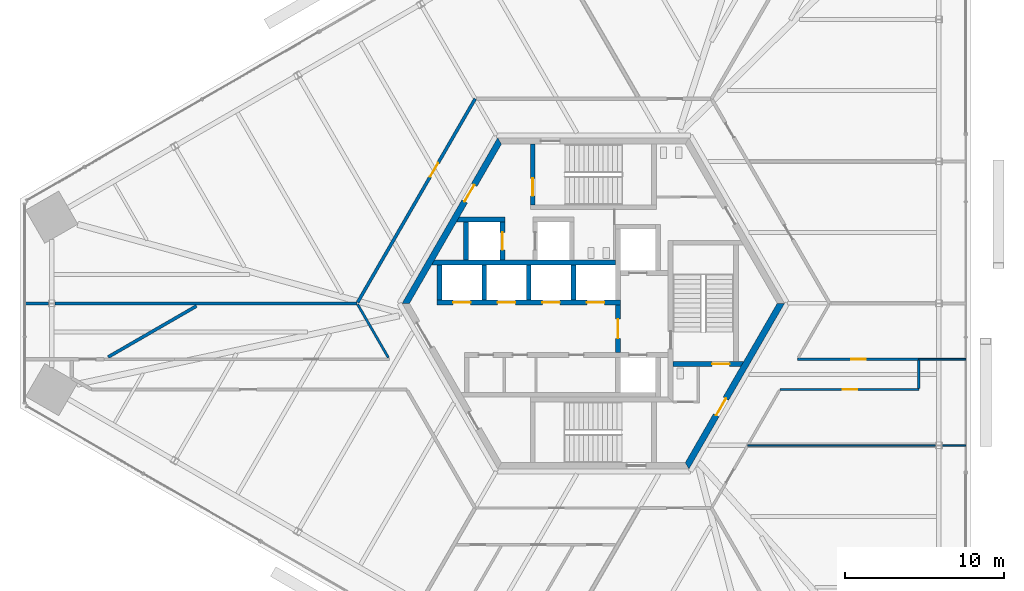
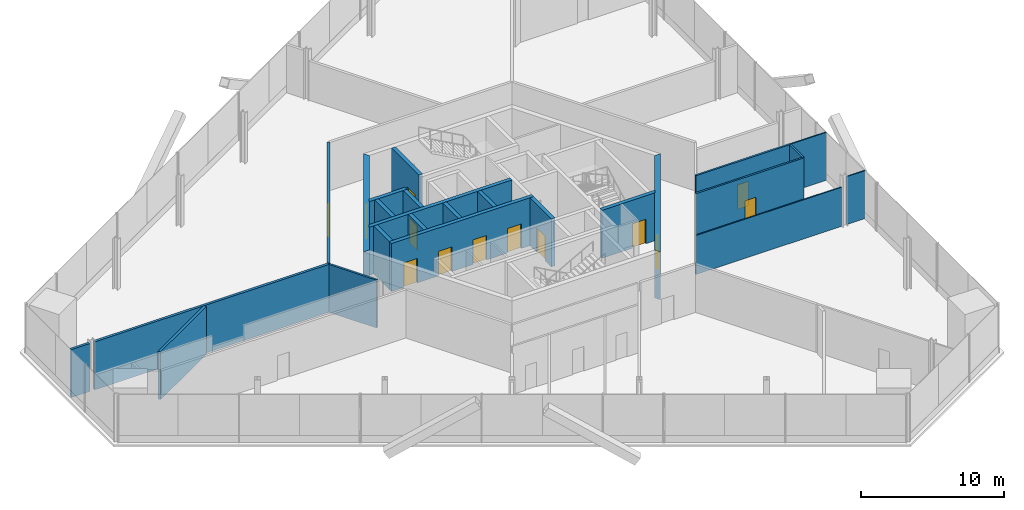
# One storey, part 11 of 15: 25 walls, 13 doors, 13 openings.
"""IFC4 building model written with IfcOpenShell, lengths in metres."""

from ifc_helpers import new_model, si_unit, direction, frame, frame_2d, origin, place, context, subcontext, project, spatial, polyline, rectangle, outline, extrude, source, transform, mapped, material, layer, layer_set, type_object, element, fill, save


model = new_model("IFC4")

# Units and contexts
model_context = context("Model", 3, precision=1e-05, world=origin(), true_north=direction((0.0, 1.0)))
body_context = subcontext(model_context, "Body", "Model", "MODEL_VIEW")
ifc_project = project(units=[si_unit("LENGTHUNIT", "METRE"), si_unit("AREAUNIT", "SQUARE_METRE"), si_unit("VOLUMEUNIT", "CUBIC_METRE"), si_unit("PLANEANGLEUNIT", "RADIAN"), si_unit("MASSUNIT", "GRAM", prefix="KILO")], contexts=[model_context])

# Site, building, storey
site_placement = place(None, origin())
site = spatial("IfcSite", under=ifc_project, at=site_placement, CompositionType="ELEMENT")
building_placement = place(site_placement, origin())
building = spatial("IfcBuilding", under=site, at=building_placement, Name="Triune Harvest Tower", CompositionType="ELEMENT")
storey_placement = place(building_placement, frame((0.0, 0.0, 28.89990234375)))
storey = spatial("IfcBuildingStorey", under=building, at=storey_placement, Name="L06", CompositionType="ELEMENT", Elevation=28.89990234375)

# Wall
ifc_material_1 = material(Name="Gypsum board on steel studs", Category="steel")
ifc_layer_1 = layer(ifc_material_1, 0.199951171875)
ifc_layer_set_1 = layer_set([ifc_layer_1], Name="Gypsum board on steel studs")
wall_type_1 = type_object("IfcWallType", Name="Fire Wall 200 mm", PredefinedType="PARTITIONING", material=ifc_layer_set_1)
wall_1_placement = place(storey_placement, frame((-30.44677734375, -3.36474609375, 0.0), z_axis=(0.0, 0.0, 1.0), x_axis=(0.866042017984, 0.499971222258, 0.0)))
element("IfcWall", 1, at=wall_1_placement, inside=storey, type_object=wall_type_1, Name="Partition L06 029", PredefinedType="PARTITIONING", context=body_context, shape_type="SweptSolid", body=[
    extrude(rectangle(XDim=6.39990234375, YDim=0.199951171875, at=frame_2d((3.199951171875, 0.0))), origin(), (0.0, 0.0, 1.0), 4.10009765625),
])

# Wall, opening, door
ifc_material_2 = material(Name="Concrete 70 MPa", Category="concrete")
ifc_layer_2 = layer(ifc_material_2, 0.39990234375)
ifc_layer_set_2 = layer_set([ifc_layer_2], Name="Concrete 70 MPa")
wall_type_2 = type_object("IfcWallType", Name="Core wall 400", PredefinedType="SHEAR", material=ifc_layer_set_2)
shared_shape_1 = source(origin(), body_context, "Body", "SweptSolid", [
    extrude(outline(polyline([(-0.115478515625, -0.199951171875), (11.884521484375, -0.199951171875), (11.653564453125, 0.199951171875), (0.115478515625, 0.199951171875), (-0.115478515625, -0.199951171875)])), origin(), (0.0, 0.0, 1.0), 4.10009765625),
])
wall_2_placement = place(storey_placement, frame((-5.884521484375, 10.1923828125, 0.0), z_axis=(0.0, 0.0, 1.0), x_axis=(-0.499996592174, -0.866027371285, 0.0)))
wall_2 = element("IfcWall", 2, at=wall_2_placement, inside=storey, type_object=wall_type_2, Name="Hexagon 2 wall", PredefinedType="SHEAR", context=body_context, shape_type="MappedRepresentation", body=[
    mapped(shared_shape_1, transform((0.0, 0.0, 0.0), scale=1.0)),
])
opening_1_placement = place(wall_2_placement, frame((3.1845703125, 0.0, 0.0)))
opening_1 = element("IfcOpeningElement", 3, at=opening_1_placement, cuts=wall_2, Name="Opening CD-SVP", PredefinedType="OPENING", context=body_context, shape_type="SweptSolid", body=[
    extrude(rectangle(XDim=1.199951171875, YDim=2.10009765625, at=frame_2d((0.60009765625, 1.050048828125))), frame((0.0, 0.2099609375, 0.0), z_axis=(0.0, -1.0, 0.0), x_axis=(1.0, 0.0, 0.0)), (0.0, 0.0, 1.0), 0.419921875),
])
ifc_material_3 = material(Name="Steel S235", Category="steel")
door_type_1 = type_object("IfcDoorType", Name="Service door 1200 FD120", OperationType="SINGLE_SWING_LEFT", PredefinedType="DOOR", material=ifc_material_3)
door_1_placement = place(opening_1_placement, frame((1.199951171875, 0.0, 0.0), z_axis=(0.0, 0.0, 1.0), x_axis=(-1.0, 0.0, 0.0)))
door_1 = element("IfcDoor", 4, at=door_1_placement, inside=storey, type_object=door_type_1, Name="Door CD-SVP", OperationType="SINGLE_SWING_RIGHT", OverallHeight=2.10009765625, OverallWidth=1.199951171875, PredefinedType="DOOR", context=body_context, shape_type="SweptSolid", body=[
    extrude(rectangle(XDim=1.199951171875, YDim=2.10009765625, at=frame_2d((0.60009765625, 1.050048828125))), frame((0.0, 0.02490234375, 0.0), z_axis=(0.0, -1.0, 0.0), x_axis=(1.0, 0.0, 0.0)), (0.0, 0.0, 1.0), 0.050048828125),
])
fill(opening_1, door_1)

wall_3_placement = place(storey_placement, frame((5.884521484375, -10.1923828125, 0.0), z_axis=(0.0, 0.0, 1.0), x_axis=(0.499996592174, 0.866027371285, 0.0)))
wall_3 = element("IfcWall", 5, at=wall_3_placement, inside=storey, type_object=wall_type_2, Name="Hexagon 5 wall", PredefinedType="SHEAR", context=body_context, shape_type="MappedRepresentation", body=[
    mapped(shared_shape_1, transform((0.0, 0.0, 0.0), scale=1.0)),
])
opening_2_placement = place(wall_3_placement, frame((3.66455078125, 0.0, 0.0)))
opening_2 = element("IfcOpeningElement", 6, at=opening_2_placement, cuts=wall_3, Name="Opening CD-DP", PredefinedType="OPENING", context=body_context, shape_type="SweptSolid", body=[
    extrude(rectangle(XDim=1.199951171875, YDim=2.10009765625, at=frame_2d((0.60009765625, 1.050048828125))), frame((0.0, 0.2099609375, 0.0), z_axis=(0.0, -1.0, 0.0), x_axis=(1.0, 0.0, 0.0)), (0.0, 0.0, 1.0), 0.419921875),
])
ifc_material_4 = material(Name="Steel S235", Category="steel")
door_type_2 = type_object("IfcDoorType", Name="Stair door 1200 FD120", OperationType="SINGLE_SWING_LEFT", PredefinedType="DOOR", material=ifc_material_4)
door_2_placement = place(opening_2_placement, frame((1.199951171875, 0.0, 0.0), z_axis=(0.0, 0.0, 1.0), x_axis=(-1.0, 0.0, 0.0)))
door_2 = element("IfcDoor", 7, at=door_2_placement, inside=storey, type_object=door_type_2, Name="Door CD-DP", OperationType="SINGLE_SWING_RIGHT", OverallHeight=2.10009765625, OverallWidth=1.199951171875, PredefinedType="DOOR", context=body_context, shape_type="SweptSolid", body=[
    extrude(rectangle(XDim=1.199951171875, YDim=2.10009765625, at=frame_2d((0.60009765625, 1.050048828125))), frame((0.0, 0.02490234375, 0.0), z_axis=(0.0, -1.0, 0.0), x_axis=(1.0, 0.0, 0.0)), (0.0, 0.0, 1.0), 0.050048828125),
])
fill(opening_2, door_2)

# Wall, openings, doors
ifc_material_5 = material(Name="Concrete 70 MPa", Category="concrete")
ifc_layer_3 = layer(ifc_material_5, 0.300048828125)
ifc_layer_set_3 = layer_set([ifc_layer_3], Name="Concrete 70 MPa")
wall_type_3 = type_object("IfcWallType", Name="Core wall 300", PredefinedType="SHEAR", material=ifc_layer_set_3)
shared_shape_2 = source(origin(), body_context, "Body", "SweptSolid", [
    extrude(rectangle(XDim=11.5, YDim=0.300048828125, at=frame_2d((5.75, 0.0))), origin(), (0.0, 0.0, 1.0), 4.10009765625),
])
wall_4_placement = place(storey_placement, frame((-9.800048828125, 0.06005859375, 0.0), z_axis=(0.0, 0.0, 1.0), x_axis=(1.0, 0.0, 0.0)))
wall_4 = element("IfcWall", 8, at=wall_4_placement, inside=storey, type_object=wall_type_3, Name="North front wall", PredefinedType="SHEAR", context=body_context, shape_type="MappedRepresentation", body=[
    mapped(shared_shape_2, transform((0.0, 0.0, 0.0), scale=1.0)),
])
opening_3_placement = place(wall_4_placement, frame((1.0, 0.0, 0.0)))
opening_3 = element("IfcOpeningElement", 9, at=opening_3_placement, cuts=wall_4, Name="Opening LD-LR1-06", PredefinedType="OPENING", context=body_context, shape_type="SweptSolid", body=[
    extrude(rectangle(XDim=1.10009765625, YDim=2.10009765625, at=frame_2d((0.550048828125, 1.050048828125))), frame((0.0, 0.16015625, 0.0), z_axis=(0.0, -1.0, 0.0), x_axis=(1.0, 0.0, 0.0)), (0.0, 0.0, 1.0), 0.320068359375),
])
opening_4_placement = place(wall_4_placement, frame((3.800048828125, 0.0, 0.0)))
opening_4 = element("IfcOpeningElement", 10, at=opening_4_placement, cuts=wall_4, Name="Opening LD-LR2-06", PredefinedType="OPENING", context=body_context, shape_type="SweptSolid", body=[
    extrude(rectangle(XDim=1.10009765625, YDim=2.10009765625, at=frame_2d((0.550048828125, 1.050048828125))), frame((0.0, 0.16015625, 0.0), z_axis=(0.0, -1.0, 0.0), x_axis=(1.0, 0.0, 0.0)), (0.0, 0.0, 1.0), 0.320068359375),
])
opening_5_placement = place(wall_4_placement, frame((6.60009765625, 0.0, 0.0)))
opening_5 = element("IfcOpeningElement", 11, at=opening_5_placement, cuts=wall_4, Name="Opening LD-LR3-06", PredefinedType="OPENING", context=body_context, shape_type="SweptSolid", body=[
    extrude(rectangle(XDim=1.10009765625, YDim=2.10009765625, at=frame_2d((0.550048828125, 1.050048828125))), frame((0.0, 0.16015625, 0.0), z_axis=(0.0, -1.0, 0.0), x_axis=(1.0, 0.0, 0.0)), (0.0, 0.0, 1.0), 0.320068359375),
])
opening_6_placement = place(wall_4_placement, frame((9.39990234375, 0.0, 0.0)))
opening_6 = element("IfcOpeningElement", 12, at=opening_6_placement, cuts=wall_4, Name="Opening LD-LR4-06", PredefinedType="OPENING", context=body_context, shape_type="SweptSolid", body=[
    extrude(rectangle(XDim=1.10009765625, YDim=2.10009765625, at=frame_2d((0.550048828125, 1.050048828125))), frame((0.0, 0.16015625, 0.0), z_axis=(0.0, -1.0, 0.0), x_axis=(1.0, 0.0, 0.0)), (0.0, 0.0, 1.0), 0.320068359375),
])
ifc_material_6 = material(Name="Stainless steel AISI 304", Category="steel")
door_type_3 = type_object("IfcDoorType", Name="Landing door 1100 x 2100", OperationType="DOUBLE_DOOR_SLIDING", PredefinedType="DOOR", material=ifc_material_6)
door_3_placement = place(opening_3_placement, origin())
door_3 = element("IfcDoor", 13, at=door_3_placement, inside=storey, type_object=door_type_3, Name="Door LD-LR1-06", OperationType="DOUBLE_DOOR_SLIDING", OverallHeight=2.10009765625, OverallWidth=1.10009765625, PredefinedType="DOOR", context=body_context, shape_type="SweptSolid", body=[
    extrude(rectangle(XDim=1.10009765625, YDim=2.10009765625, at=frame_2d((0.550048828125, 1.050048828125))), frame((0.0, 0.02490234375, 0.0), z_axis=(0.0, -1.0, 0.0), x_axis=(1.0, 0.0, 0.0)), (0.0, 0.0, 1.0), 0.050048828125),
])
fill(opening_3, door_3)
door_4_placement = place(opening_4_placement, origin())
door_4 = element("IfcDoor", 14, at=door_4_placement, inside=storey, type_object=door_type_3, Name="Door LD-LR2-06", OperationType="DOUBLE_DOOR_SLIDING", OverallHeight=2.10009765625, OverallWidth=1.10009765625, PredefinedType="DOOR", context=body_context, shape_type="SweptSolid", body=[
    extrude(rectangle(XDim=1.10009765625, YDim=2.10009765625, at=frame_2d((0.550048828125, 1.050048828125))), frame((0.0, 0.02490234375, 0.0), z_axis=(0.0, -1.0, 0.0), x_axis=(1.0, 0.0, 0.0)), (0.0, 0.0, 1.0), 0.050048828125),
])
fill(opening_4, door_4)
door_5_placement = place(opening_5_placement, origin())
door_5 = element("IfcDoor", 15, at=door_5_placement, inside=storey, type_object=door_type_3, Name="Door LD-LR3-06", OperationType="DOUBLE_DOOR_SLIDING", OverallHeight=2.10009765625, OverallWidth=1.10009765625, PredefinedType="DOOR", context=body_context, shape_type="SweptSolid", body=[
    extrude(rectangle(XDim=1.10009765625, YDim=2.10009765625, at=frame_2d((0.550048828125, 1.050048828125))), frame((0.0, 0.02490234375, 0.0), z_axis=(0.0, -1.0, 0.0), x_axis=(1.0, 0.0, 0.0)), (0.0, 0.0, 1.0), 0.050048828125),
])
fill(opening_5, door_5)
door_6_placement = place(opening_6_placement, origin())
door_6 = element("IfcDoor", 16, at=door_6_placement, inside=storey, type_object=door_type_3, Name="Door LD-LR4-06", OperationType="DOUBLE_DOOR_SLIDING", OverallHeight=2.10009765625, OverallWidth=1.10009765625, PredefinedType="DOOR", context=body_context, shape_type="SweptSolid", body=[
    extrude(rectangle(XDim=1.10009765625, YDim=2.10009765625, at=frame_2d((0.550048828125, 1.050048828125))), frame((0.0, 0.02490234375, 0.0), z_axis=(0.0, -1.0, 0.0), x_axis=(1.0, 0.0, 0.0)), (0.0, 0.0, 1.0), 0.050048828125),
])
fill(opening_6, door_6)

# Wall
shared_shape_3 = source(origin(), body_context, "Body", "SweptSolid", [
    extrude(outline(polyline([(11.199951171875, -0.14990234375), (-0.34912109375, -0.14990234375), (-0.17578125, 0.14990234375), (11.199951171875, 0.14990234375), (11.199951171875, -0.14990234375)])), origin(), (0.0, 0.0, 1.0), 4.10009765625),
])
wall_5_placement = place(storey_placement, frame((-9.800048828125, 2.56005859375, 0.0), z_axis=(0.0, 0.0, 1.0), x_axis=(1.0, 0.0, 0.0)))
element("IfcWall", 17, at=wall_5_placement, inside=storey, type_object=wall_type_3, Name="North back wall", PredefinedType="SHEAR", context=body_context, shape_type="MappedRepresentation", body=[
    mapped(shared_shape_3, transform((0.0, 0.0, 0.0), scale=1.0)),
])

# Wall, opening, door
shared_shape_4 = source(origin(), body_context, "Body", "SweptSolid", [
    extrude(rectangle(XDim=3.0, YDim=0.300048828125, at=frame_2d((1.5, 0.0))), origin(), (0.0, 0.0, 1.0), 4.10009765625),
])
wall_6_placement = place(storey_placement, frame((1.550048828125, -3.090087890625, 0.0), z_axis=(0.0, 0.0, 1.0), x_axis=(0.0, 1.0, 0.0)))
wall_6 = element("IfcWall", 18, at=wall_6_placement, inside=storey, type_object=wall_type_3, Name="Ff lobby west wall", PredefinedType="SHEAR", context=body_context, shape_type="MappedRepresentation", body=[
    mapped(shared_shape_4, transform((0.0, 0.0, 0.0), scale=1.0)),
])
opening_7_placement = place(wall_6_placement, frame((0.89990234375, 0.0, 0.0)))
opening_7 = element("IfcOpeningElement", 19, at=opening_7_placement, cuts=wall_6, Name="Opening CD-FL", PredefinedType="OPENING", context=body_context, shape_type="SweptSolid", body=[
    extrude(rectangle(XDim=1.199951171875, YDim=2.10009765625, at=frame_2d((0.60009765625, 1.050048828125))), frame((0.0, 0.16015625, 0.0), z_axis=(0.0, -1.0, 0.0), x_axis=(1.0, 0.0, 0.0)), (0.0, 0.0, 1.0), 0.320068359375),
])
ifc_material_7 = material(Name="Steel S235", Category="steel")
door_type_4 = type_object("IfcDoorType", Name="Firefighters' lobby door 1200 FD120", OperationType="SINGLE_SWING_LEFT", PredefinedType="DOOR", material=ifc_material_7)
door_7_placement = place(opening_7_placement, frame((1.199951171875, 0.0, 0.0), z_axis=(0.0, 0.0, 1.0), x_axis=(-1.0, 0.0, 0.0)))
door_7 = element("IfcDoor", 20, at=door_7_placement, inside=storey, type_object=door_type_4, Name="Door CD-FL", OperationType="SINGLE_SWING_RIGHT", OverallHeight=2.10009765625, OverallWidth=1.199951171875, PredefinedType="DOOR", context=body_context, shape_type="SweptSolid", body=[
    extrude(rectangle(XDim=1.199951171875, YDim=2.10009765625, at=frame_2d((0.60009765625, 1.050048828125))), frame((0.0, 0.02490234375, 0.0), z_axis=(0.0, -1.0, 0.0), x_axis=(1.0, 0.0, 0.0)), (0.0, 0.0, 1.0), 0.050048828125),
])
fill(opening_7, door_7)

# Walls
shared_shape_5 = source(origin(), body_context, "Body", "SweptSolid", [
    extrude(rectangle(XDim=2.199951171875, YDim=0.300048828125, at=frame_2d((1.10009765625, 0.0))), origin(), (0.0, 0.0, 1.0), 4.10009765625),
])
for number, where, z_axis, x_axis, name in (
    (21, (-9.64990234375, 0.2099609375, 0.0), (0.0, 0.0, 1.0), (0.0, 1.0, 0.0), "North end west wall"),
    (22, (-6.85009765625, 0.2099609375, 0.0), (0.0, 0.0, 1.0), (0.0, 1.0, 0.0), "North cross 1 wall"),
    (23, (-4.050048828125, 0.2099609375, 0.0), (0.0, 0.0, 1.0), (0.0, 1.0, 0.0), "North cross 2 wall"),
    (24, (-1.25, 0.2099609375, 0.0), (0.0, 0.0, 1.0), (0.0, 1.0, 0.0), "North cross 3 wall"),
):
    element("IfcWall", number, at=place(storey_placement, frame(where, z_axis=z_axis, x_axis=x_axis)), inside=storey, type_object=wall_type_3, Name=name, PredefinedType="SHEAR", context=body_context, shape_type="MappedRepresentation", body=[
        mapped(shared_shape_5, transform((0.0, 0.0, 0.0), scale=1.0)),
    ])

# Wall, opening, door
shared_shape_6 = source(origin(), body_context, "Body", "SweptSolid", [
    extrude(outline(polyline([(0.0, -0.14990234375), (0.0, 0.14990234375), (4.43310546875, 0.14990234375), (4.260009765625, -0.14990234375), (0.0, -0.14990234375)])), origin(), (0.0, 0.0, 1.0), 4.10009765625),
])
wall_7_placement = place(storey_placement, frame((5.0, -3.800048828125, 0.0), z_axis=(0.0, 0.0, 1.0), x_axis=(1.0, 0.0, 0.0)))
wall_7 = element("IfcWall", 25, at=wall_7_placement, inside=storey, type_object=wall_type_3, Name="Stair e south wall", PredefinedType="SHEAR", context=body_context, shape_type="MappedRepresentation", body=[
    mapped(shared_shape_6, transform((0.0, 0.0, 0.0), scale=1.0)),
])
opening_8_placement = place(wall_7_placement, frame((2.449951171875, 0.0, 0.0)))
opening_8 = element("IfcOpeningElement", 26, at=opening_8_placement, cuts=wall_7, Name="Opening CD-S3D", PredefinedType="OPENING", context=body_context, shape_type="SweptSolid", body=[
    extrude(rectangle(XDim=1.10009765625, YDim=2.10009765625, at=frame_2d((0.550048828125, 1.050048828125))), frame((0.0, 0.16015625, 0.0), z_axis=(0.0, -1.0, 0.0), x_axis=(1.0, 0.0, 0.0)), (0.0, 0.0, 1.0), 0.320068359375),
])
ifc_material_8 = material(Name="Steel S235", Category="steel")
door_type_5 = type_object("IfcDoorType", Name="Stair door 1100 FD120", OperationType="SINGLE_SWING_LEFT", PredefinedType="DOOR", material=ifc_material_8)
door_8_placement = place(opening_8_placement, frame((1.10009765625, 0.0, 0.0), z_axis=(0.0, 0.0, 1.0), x_axis=(-1.0, 0.0, 0.0)))
door_8 = element("IfcDoor", 27, at=door_8_placement, inside=storey, type_object=door_type_5, Name="Door CD-S3D", OperationType="SINGLE_SWING_RIGHT", OverallHeight=2.10009765625, OverallWidth=1.10009765625, PredefinedType="DOOR", context=body_context, shape_type="SweptSolid", body=[
    extrude(rectangle(XDim=1.10009765625, YDim=2.10009765625, at=frame_2d((0.550048828125, 1.050048828125))), frame((0.0, 0.02490234375, 0.0), z_axis=(0.0, -1.0, 0.0), x_axis=(1.0, 0.0, 0.0)), (0.0, 0.0, 1.0), 0.050048828125),
])
fill(opening_8, door_8)

shared_shape_7 = source(origin(), body_context, "Body", "SweptSolid", [
    extrude(outline(polyline([(0.0, -0.14990234375), (0.0, 0.14990234375), (3.80419921875, 0.14990234375), (3.80419921875, -0.14990234375), (0.0, -0.14990234375)])), origin(), (0.0, 0.0, 1.0), 4.10009765625),
])
wall_8_placement = place(storey_placement, frame((-3.800048828125, 6.18994140625, 0.0), z_axis=(0.0, 0.0, 1.0), x_axis=(0.0, 1.0, 0.0)))
wall_8 = element("IfcWall", 28, at=wall_8_placement, inside=storey, type_object=wall_type_3, Name="Stair n west wall", PredefinedType="SHEAR", context=body_context, shape_type="MappedRepresentation", body=[
    mapped(shared_shape_7, transform((0.0, 0.0, 0.0), scale=1.0)),
])
opening_9_placement = place(wall_8_placement, frame((0.56005859375, 0.0, 0.0)))
opening_9 = element("IfcOpeningElement", 29, at=opening_9_placement, cuts=wall_8, Name="Opening CD-S1L", PredefinedType="OPENING", context=body_context, shape_type="SweptSolid", body=[
    extrude(rectangle(XDim=1.10009765625, YDim=2.10009765625, at=frame_2d((0.550048828125, 1.050048828125))), frame((0.0, 0.16015625, 0.0), z_axis=(0.0, -1.0, 0.0), x_axis=(1.0, 0.0, 0.0)), (0.0, 0.0, 1.0), 0.320068359375),
])
door_9_placement = place(opening_9_placement, frame((1.10009765625, 0.0, 0.0), z_axis=(0.0, 0.0, 1.0), x_axis=(-1.0, 0.0, 0.0)))
door_9 = element("IfcDoor", 30, at=door_9_placement, inside=storey, type_object=door_type_5, Name="Door CD-S1L", OperationType="SINGLE_SWING_RIGHT", OverallHeight=2.10009765625, OverallWidth=1.10009765625, PredefinedType="DOOR", context=body_context, shape_type="SweptSolid", body=[
    extrude(rectangle(XDim=1.10009765625, YDim=2.10009765625, at=frame_2d((0.550048828125, 1.050048828125))), frame((0.0, 0.02490234375, 0.0), z_axis=(0.0, -1.0, 0.0), x_axis=(1.0, 0.0, 0.0)), (0.0, 0.0, 1.0), 0.050048828125),
])
fill(opening_9, door_9)

# Walls
shared_shape_8 = source(origin(), body_context, "Body", "SweptSolid", [
    extrude(outline(polyline([(2.60009765625, -0.14990234375), (-0.440185546875, -0.14990234375), (-0.26708984375, 0.14990234375), (2.60009765625, 0.14990234375), (2.60009765625, -0.14990234375)])), origin(), (0.0, 0.0, 1.0), 4.10009765625),
])
wall_9_placement = place(storey_placement, frame((-8.14990234375, 5.260009765625, 0.0), z_axis=(0.0, 0.0, 1.0), x_axis=(1.0, 0.0, 0.0)))
element("IfcWall", 31, at=wall_9_placement, inside=storey, type_object=wall_type_3, Name="Sv1 north wall", PredefinedType="SHEAR", context=body_context, shape_type="MappedRepresentation", body=[
    mapped(shared_shape_8, transform((0.0, 0.0, 0.0), scale=1.0)),
])
shared_shape_9 = source(origin(), body_context, "Body", "SweptSolid", [
    extrude(rectangle(XDim=2.400146484375, YDim=0.300048828125, at=frame_2d((1.2001953125, 0.0))), origin(), (0.0, 0.0, 1.0), 4.10009765625),
])
wall_10_placement = place(storey_placement, frame((-8.0, 2.7099609375, 0.0), z_axis=(0.0, 0.0, 1.0), x_axis=(0.0, 1.0, 0.0)))
element("IfcWall", 32, at=wall_10_placement, inside=storey, type_object=wall_type_3, Name="Sv1 west wall", PredefinedType="SHEAR", context=body_context, shape_type="MappedRepresentation", body=[
    mapped(shared_shape_9, transform((0.0, 0.0, 0.0), scale=1.0)),
])

# Wall, opening, door
wall_11_placement = place(storey_placement, frame((-5.699951171875, 2.7099609375, 0.0), z_axis=(0.0, 0.0, 1.0), x_axis=(0.0, 1.0, 0.0)))
wall_11 = element("IfcWall", 33, at=wall_11_placement, inside=storey, type_object=wall_type_3, Name="Sv1 east wall", PredefinedType="SHEAR", context=body_context, shape_type="MappedRepresentation", body=[
    mapped(shared_shape_9, transform((0.0, 0.0, 0.0), scale=1.0)),
])
opening_10_placement = place(wall_11_placement, frame((0.64990234375, 0.0, 0.0)))
opening_10 = element("IfcOpeningElement", 34, at=opening_10_placement, cuts=wall_11, Name="Opening LD-SV1-06", PredefinedType="OPENING", context=body_context, shape_type="SweptSolid", body=[
    extrude(rectangle(XDim=1.10009765625, YDim=2.10009765625, at=frame_2d((0.550048828125, 1.050048828125))), frame((0.0, 0.16015625, 0.0), z_axis=(0.0, -1.0, 0.0), x_axis=(1.0, 0.0, 0.0)), (0.0, 0.0, 1.0), 0.320068359375),
])
door_10_placement = place(opening_10_placement, origin())
door_10 = element("IfcDoor", 35, at=door_10_placement, inside=storey, type_object=door_type_3, Name="Door LD-SV1-06", OperationType="DOUBLE_DOOR_SLIDING", OverallHeight=2.10009765625, OverallWidth=1.10009765625, PredefinedType="DOOR", context=body_context, shape_type="SweptSolid", body=[
    extrude(rectangle(XDim=1.10009765625, YDim=2.10009765625, at=frame_2d((0.550048828125, 1.050048828125))), frame((0.0, 0.02490234375, 0.0), z_axis=(0.0, -1.0, 0.0), x_axis=(1.0, 0.0, 0.0)), (0.0, 0.0, 1.0), 0.050048828125),
])
fill(opening_10, door_10)

# Walls
shared_shape_10 = source(origin(), body_context, "Body", "SweptSolid", [
    extrude(rectangle(XDim=1.49853515625, YDim=0.199951171875, at=frame_2d((0.749267578125, 0.0))), origin(), (0.0, 0.0, 1.0), 4.10009765625),
])
wall_12_placement = place(storey_placement, frame((-35.680419921875, 0.0, 0.0), z_axis=(0.0, 0.0, 1.0), x_axis=(1.0, 0.0, 0.0)))
element("IfcWall", 36, at=wall_12_placement, inside=storey, type_object=wall_type_1, Name="Partition L06 021", PredefinedType="PARTITIONING", context=body_context, shape_type="MappedRepresentation", body=[
    mapped(shared_shape_10, transform((0.0, 0.0, 0.0), scale=1.0)),
])
ifc_material_9 = material(Name="Gypsum board on steel studs", Category="steel")
ifc_layer_4 = layer(ifc_material_9, 0.10009765625)
ifc_layer_set_4 = layer_set([ifc_layer_4], Name="Gypsum board on steel studs")
wall_type_4 = type_object("IfcWallType", Name="Partition 100 mm", PredefinedType="PARTITIONING", material=ifc_layer_set_4)
shared_shape_11 = source(origin(), body_context, "Body", "SweptSolid", [
    extrude(rectangle(XDim=1.49853515625, YDim=0.10009765625, at=frame_2d((0.749267578125, 0.0))), origin(), (0.0, 0.0, 1.0), 4.10009765625),
])
wall_13_placement = place(storey_placement, frame((21.872802734375, -8.909912109375, 0.0), z_axis=(0.0, 0.0, 1.0), x_axis=(1.0, 0.0, 0.0)))
element("IfcWall", 37, at=wall_13_placement, inside=storey, type_object=wall_type_4, Name="Partition L06 014", PredefinedType="PARTITIONING", context=body_context, shape_type="MappedRepresentation", body=[
    mapped(shared_shape_11, transform((0.0, 0.0, 0.0), scale=1.0)),
])
shared_shape_12 = source(origin(), body_context, "Body", "SweptSolid", [
    extrude(rectangle(XDim=2.94189453125, YDim=0.10009765625, at=frame_2d((1.470947265625, 0.0))), origin(), (0.0, 0.0, 1.0), 4.10009765625),
])
wall_14_placement = place(storey_placement, frame((20.429443359375, -3.5048828125, 0.0), z_axis=(0.0, 0.0, 1.0), x_axis=(1.0, 0.0, 0.0)))
element("IfcWall", 38, at=wall_14_placement, inside=storey, type_object=wall_type_4, Name="Partition L06 020", PredefinedType="PARTITIONING", context=body_context, shape_type="MappedRepresentation", body=[
    mapped(shared_shape_12, transform((0.0, 0.0, 0.0), scale=1.0)),
])
ifc_material_10 = material(Name="Gypsum board on steel studs", Category="steel")
ifc_layer_5 = layer(ifc_material_10, 0.14990234375)
ifc_layer_set_5 = layer_set([ifc_layer_5], Name="Gypsum board on steel studs")
wall_type_5 = type_object("IfcWallType", Name="Fire Partition 150 mm", PredefinedType="PARTITIONING", material=ifc_layer_set_5)
shared_shape_13 = source(origin(), body_context, "Body", "SweptSolid", [
    extrude(rectangle(XDim=3.8671875, YDim=0.14990234375, at=frame_2d((1.93359375, 0.0))), origin(), (0.0, 0.0, 1.0), 4.10009765625),
])
wall_15_placement = place(storey_placement, frame((-14.7939453125, -0.060546875, 0.0), z_axis=(0.0, 0.0, 1.0), x_axis=(0.499995691662, -0.86602789119, 0.0)))
element("IfcWall", 39, at=wall_15_placement, inside=storey, type_object=wall_type_5, Name="Partition L06 001", PredefinedType="PARTITIONING", context=body_context, shape_type="MappedRepresentation", body=[
    mapped(shared_shape_13, transform((0.0, 0.0, 0.0), scale=1.0)),
])

# Wall, opening, door
shared_shape_14 = source(origin(), body_context, "Body", "SweptSolid", [
    extrude(rectangle(XDim=14.759033203125, YDim=0.199951171875, at=frame_2d((7.37939453125, 0.0))), origin(), (0.0, 0.0, 1.0), 4.10009765625),
])
wall_16_placement = place(storey_placement, frame((-14.7939453125, 0.060546875, 0.0), z_axis=(0.0, 0.0, 1.0), x_axis=(0.49999260588, 0.86602967274, 0.0)))
wall_16 = element("IfcWall", 40, at=wall_16_placement, inside=storey, type_object=wall_type_1, Name="Partition L06 042", PredefinedType="PARTITIONING", context=body_context, shape_type="MappedRepresentation", body=[
    mapped(shared_shape_14, transform((0.0, 0.0, 0.0), scale=1.0)),
])
opening_11_placement = place(wall_16_placement, frame((9.10888671875, 0.0, 0.0)))
opening_11 = element("IfcOpeningElement", 41, at=opening_11_placement, cuts=wall_16, Name="Opening L06-008", PredefinedType="OPENING", context=body_context, shape_type="SweptSolid", body=[
    extrude(rectangle(XDim=1.0, YDim=2.10009765625, at=frame_2d((0.5, 1.050048828125))), frame((0.0, 0.10986328125, 0.0), z_axis=(0.0, -1.0, 0.0), x_axis=(1.0, 0.0, 0.0)), (0.0, 0.0, 1.0), 0.219970703125),
])
ifc_material_11 = material(Name="Timber and steel door set", Category="steel")
door_type_6 = type_object("IfcDoorType", Name="Wide single leaf door FD60 right hand 1000 x 2100", OperationType="SINGLE_SWING_RIGHT", PredefinedType="DOOR", material=ifc_material_11)
door_11_placement = place(opening_11_placement, origin())
door_11 = element("IfcDoor", 42, at=door_11_placement, inside=storey, type_object=door_type_6, Name="Door L06-008 Propagation Room 06.08", OperationType="SINGLE_SWING_RIGHT", OverallHeight=2.10009765625, OverallWidth=1.0, PredefinedType="DOOR", context=body_context, shape_type="SweptSolid", body=[
    extrude(rectangle(XDim=1.0, YDim=2.10009765625, at=frame_2d((0.5, 1.050048828125))), frame((0.0, 0.02490234375, 0.0), z_axis=(0.0, -1.0, 0.0), x_axis=(1.0, 0.0, 0.0)), (0.0, 0.0, 1.0), 0.050048828125),
])
fill(opening_11, door_11)

# Wall
shared_shape_15 = source(origin(), body_context, "Body", "SweptSolid", [
    extrude(rectangle(XDim=11.801513671875, YDim=0.10009765625, at=frame_2d((5.90087890625, 0.0))), origin(), (0.0, 0.0, 1.0), 3.343017578125),
])
wall_17_placement = place(storey_placement, frame((9.684814453125, -8.909912109375, 0.0), z_axis=(0.0, 0.0, 1.0), x_axis=(1.0, 0.0, 0.0)))
element("IfcWall", 43, at=wall_17_placement, inside=storey, type_object=wall_type_4, Name="Partition L06 013", PredefinedType="PARTITIONING", context=body_context, shape_type="MappedRepresentation", body=[
    mapped(shared_shape_15, transform((0.0, 0.0, 0.0), scale=1.0)),
])

# Wall, opening, door
shared_shape_16 = source(origin(), body_context, "Body", "SweptSolid", [
    extrude(rectangle(XDim=8.720947265625, YDim=0.14990234375, at=frame_2d((4.3603515625, 0.0))), origin(), (0.0, 0.0, 1.0), 4.10009765625),
])
wall_18_placement = place(storey_placement, frame((11.70849609375, -5.405029296875, 0.0), z_axis=(0.0, 0.0, 1.0), x_axis=(1.0, 0.0, 0.0)))
wall_18 = element("IfcWall", 44, at=wall_18_placement, inside=storey, type_object=wall_type_5, Name="Partition L06 016", PredefinedType="PARTITIONING", context=body_context, shape_type="MappedRepresentation", body=[
    mapped(shared_shape_16, transform((0.0, 0.0, 0.0), scale=1.0)),
])
opening_12_placement = place(wall_18_placement, frame((3.949951171875, 0.0, 0.0)))
opening_12 = element("IfcOpeningElement", 45, at=opening_12_placement, cuts=wall_18, Name="Opening L06-002", PredefinedType="OPENING", context=body_context, shape_type="SweptSolid", body=[
    extrude(rectangle(XDim=0.89990234375, YDim=2.10009765625, at=frame_2d((0.449951171875, 1.050048828125))), frame((0.0, 0.0849609375, 0.0), z_axis=(0.0, -1.0, 0.0), x_axis=(1.0, 0.0, 0.0)), (0.0, 0.0, 1.0), 0.169921875),
])
ifc_material_12 = material(Name="Timber and steel door set", Category="steel")
door_type_7 = type_object("IfcDoorType", Name="Single leaf door FD30 left hand 900 x 2100", OperationType="SINGLE_SWING_LEFT", PredefinedType="DOOR", material=ifc_material_12)
door_12_placement = place(opening_12_placement, origin())
door_12 = element("IfcDoor", 46, at=door_12_placement, inside=storey, type_object=door_type_7, Name="Door L06-002 Dry Store Room 06.02", OperationType="SINGLE_SWING_LEFT", OverallHeight=2.10009765625, OverallWidth=0.89990234375, PredefinedType="DOOR", context=body_context, shape_type="SweptSolid", body=[
    extrude(rectangle(XDim=0.89990234375, YDim=2.10009765625, at=frame_2d((0.449951171875, 1.050048828125))), frame((0.0, 0.02490234375, 0.0), z_axis=(0.0, -1.0, 0.0), x_axis=(1.0, 0.0, 0.0)), (0.0, 0.0, 1.0), 0.050048828125),
])
fill(opening_12, door_12)

shared_shape_17 = source(origin(), body_context, "Body", "SweptSolid", [
    extrude(rectangle(XDim=7.6240234375, YDim=0.14990234375, at=frame_2d((3.81201171875, 0.0))), origin(), (0.0, 0.0, 1.0), 4.10009765625),
])
wall_19_placement = place(storey_placement, frame((12.805419921875, -3.5048828125, 0.0), z_axis=(0.0, 0.0, 1.0), x_axis=(1.0, 0.0, 0.0)))
wall_19 = element("IfcWall", 47, at=wall_19_placement, inside=storey, type_object=wall_type_5, Name="Partition L06 019", PredefinedType="PARTITIONING", context=body_context, shape_type="MappedRepresentation", body=[
    mapped(shared_shape_17, transform((0.0, 0.0, 0.0), scale=1.0)),
])
opening_13_placement = place(wall_19_placement, frame((3.384033203125, 0.0, 0.0)))
opening_13 = element("IfcOpeningElement", 48, at=opening_13_placement, cuts=wall_19, Name="Opening L06-003", PredefinedType="OPENING", context=body_context, shape_type="SweptSolid", body=[
    extrude(rectangle(XDim=0.89990234375, YDim=2.10009765625, at=frame_2d((0.449951171875, 1.050048828125))), frame((0.0, 0.0849609375, 0.0), z_axis=(0.0, -1.0, 0.0), x_axis=(1.0, 0.0, 0.0)), (0.0, 0.0, 1.0), 0.169921875),
])
ifc_material_13 = material(Name="Timber and steel door set", Category="steel")
door_type_8 = type_object("IfcDoorType", Name="Single leaf door FD30 right hand 900 x 2100", OperationType="SINGLE_SWING_RIGHT", PredefinedType="DOOR", material=ifc_material_13)
door_13_placement = place(opening_13_placement, origin())
door_13 = element("IfcDoor", 49, at=door_13_placement, inside=storey, type_object=door_type_8, Name="Door L06-003 Packing Room 06.03", OperationType="SINGLE_SWING_RIGHT", OverallHeight=2.10009765625, OverallWidth=0.89990234375, PredefinedType="DOOR", context=body_context, shape_type="SweptSolid", body=[
    extrude(rectangle(XDim=0.89990234375, YDim=2.10009765625, at=frame_2d((0.449951171875, 1.050048828125))), frame((0.0, 0.02490234375, 0.0), z_axis=(0.0, -1.0, 0.0), x_axis=(1.0, 0.0, 0.0)), (0.0, 0.0, 1.0), 0.050048828125),
])
fill(opening_13, door_13)

# Walls
shared_shape_18 = source(origin(), body_context, "Body", "SweptSolid", [
    extrude(rectangle(XDim=18.96630859375, YDim=0.199951171875, at=frame_2d((9.483154296875, 0.0))), origin(), (0.0, 0.0, 1.0), 4.10009765625),
])
wall_20_placement = place(storey_placement, frame((-33.79541015625, 0.0, 0.0), z_axis=(0.0, 0.0, 1.0), x_axis=(1.0, 0.0, 0.0)))
element("IfcWall", 50, at=wall_20_placement, inside=storey, type_object=wall_type_1, Name="Partition L06 022", PredefinedType="PARTITIONING", context=body_context, shape_type="MappedRepresentation", body=[
    mapped(shared_shape_18, transform((0.0, 0.0, 0.0), scale=1.0)),
])
shared_shape_19 = source(origin(), body_context, "Body", "SweptSolid", [
    extrude(rectangle(XDim=1.780029296875, YDim=0.14990234375, at=frame_2d((0.89013671875, 0.0))), origin(), (0.0, 0.0, 1.0), 4.10009765625),
])
wall_21_placement = place(storey_placement, frame((20.429443359375, -5.344970703125, 0.0), z_axis=(0.0, 0.0, 1.0), x_axis=(0.0, 1.0, 0.0)))
element("IfcWall", 51, at=wall_21_placement, inside=storey, type_object=wall_type_5, Name="Partition L06 043", PredefinedType="PARTITIONING", context=body_context, shape_type="MappedRepresentation", body=[
    mapped(shared_shape_19, transform((0.0, 0.0, 0.0), scale=1.0)),
])

save(model, "model.ifc")
